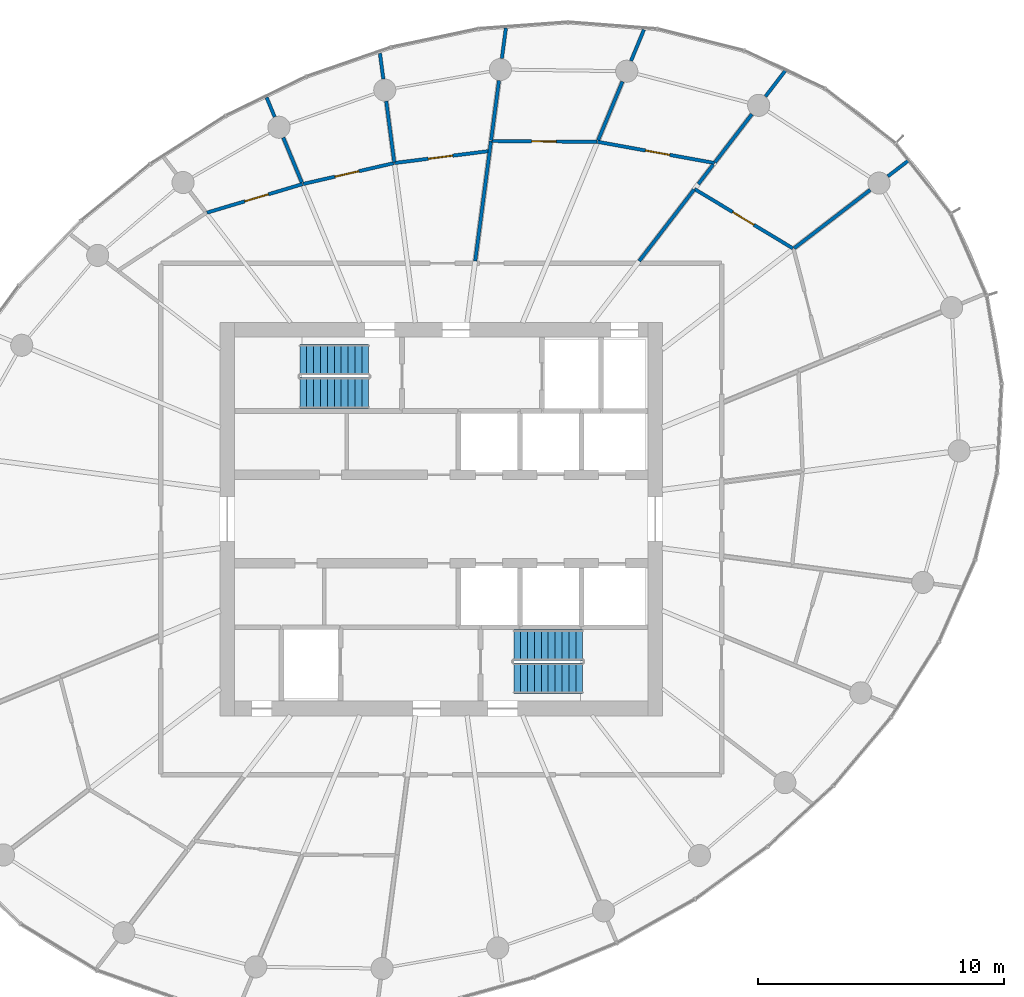
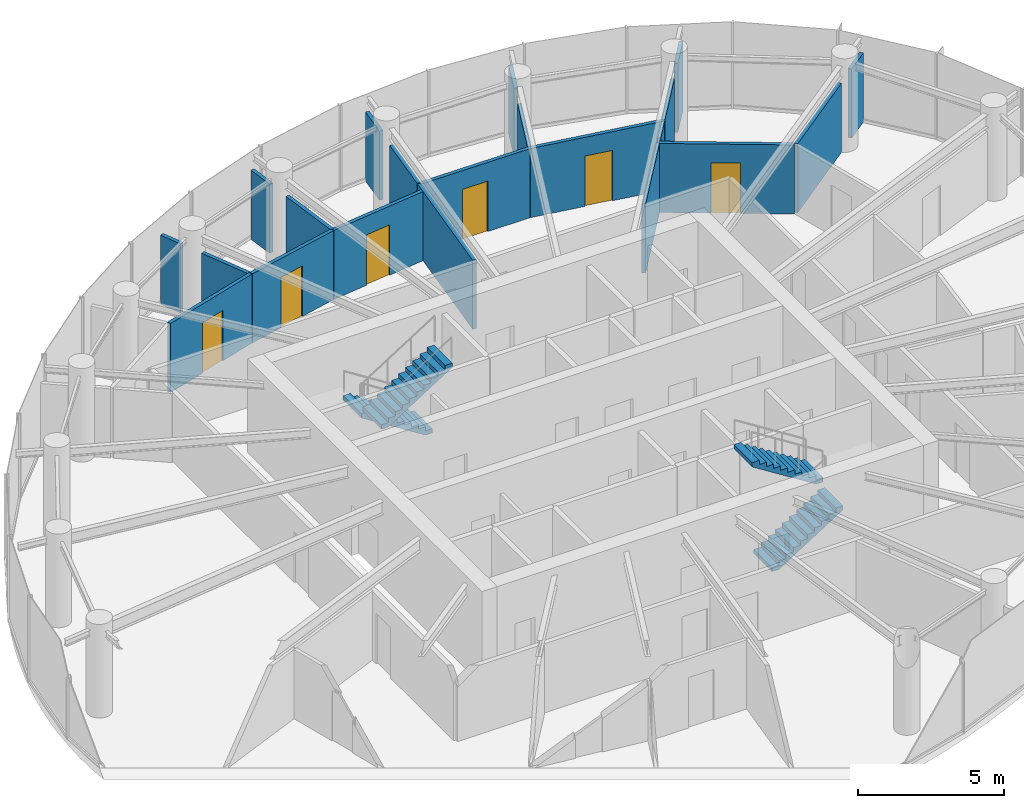
# One storey, part 12 of 14: 21 walls, 6 doors, 4 stair flights, 6 openings, 2 elements without a shape of their own.
"""IFC4 building model written with IfcOpenShell, lengths in metres."""

from ifc_helpers import new_model, si_unit, direction, frame, frame_2d, origin, place, context, subcontext, project, spatial, line, indexed_curve, rectangle, outline, extrude, source, transform, mapped, material, layer, layer_set, type_object, element, fill, aggregate, save


model = new_model("IFC4")

# Units and contexts
model_context = context("Model", 3, precision=1e-05, world=origin(), true_north=direction((0.0, 1.0)))
body_context = subcontext(model_context, "Body", "Model", "MODEL_VIEW")
ifc_project = project(units=[si_unit("LENGTHUNIT", "METRE"), si_unit("AREAUNIT", "SQUARE_METRE"), si_unit("VOLUMEUNIT", "CUBIC_METRE"), si_unit("PLANEANGLEUNIT", "RADIAN"), si_unit("MASSUNIT", "GRAM", prefix="KILO")], contexts=[model_context])

# Site, building, storey
site_placement = place(None, origin())
site = spatial("IfcSite", under=ifc_project, at=site_placement, CompositionType="ELEMENT")
building_placement = place(site_placement, origin())
building = spatial("IfcBuilding", under=site, at=building_placement, Name="Spindrift Exchange Tower", CompositionType="ELEMENT")
storey_placement = place(building_placement, frame((0.0, 0.0, 203.300048828125)))
storey = spatial("IfcBuildingStorey", under=building, at=storey_placement, Name="L49", CompositionType="ELEMENT", Elevation=203.300048828125)

# Wall
ifc_material_1 = material(Name="Fire-rated plasterboard partition", Category="gypsum")
ifc_layer = layer(ifc_material_1, 0.139892578125)
ifc_layer_set = layer_set([ifc_layer], Name="W-PART-140")
wall_type = type_object("IfcWallType", Name="W-PART-140", PredefinedType="PARTITIONING", material=ifc_layer_set)
wall_1_placement = place(storey_placement, frame((53.381103515625, 58.489990234375, 0.0), z_axis=(0.0, 0.0, 1.0), x_axis=(0.130510929427, 0.991446870639, 0.0)))
element("IfcWall", 1, at=wall_1_placement, inside=storey, type_object=wall_type, Name="L49 Partition wall 35", PredefinedType="PARTITIONING", context=body_context, shape_type="SweptSolid", body=[
    extrude(rectangle(XDim=4.925537109375, YDim=0.139892578125, at=frame_2d((2.462890625, 0.0))), origin(), (0.0, 0.0, 1.0), 2.8798828125),
])

# Wall, opening, door
wall_2_placement = place(storey_placement, frame((58.353759765625, 63.33935546875, 0.0), z_axis=(0.0, 0.0, 1.0), x_axis=(0.983980456021, -0.178276364581, 0.0)))
wall_2 = element("IfcWall", 2, at=wall_2_placement, inside=storey, type_object=wall_type, Name="L49 Partition wall 37", PredefinedType="PARTITIONING", context=body_context, shape_type="SweptSolid", body=[
    extrude(rectangle(XDim=4.832763671875, YDim=0.139892578125, at=frame_2d((2.41650390625, 0.0))), origin(), (0.0, 0.0, 1.0), 2.8798828125),
])
opening_1_placement = place(wall_2_placement, frame((1.98291015625, 0.0, 0.0)))
opening_1 = element("IfcOpeningElement", 3, at=opening_1_placement, cuts=wall_2, Name="Opening L49-D26", PredefinedType="OPENING", context=body_context, shape_type="SweptSolid", body=[
    extrude(rectangle(XDim=1.0, YDim=2.10009765625, at=frame_2d((0.5, 1.050048828125))), frame((0.0, 0.079833984375, 0.0), z_axis=(0.0, -1.0, 0.0), x_axis=(1.0, 0.0, 0.0)), (0.0, 0.0, 1.0), 0.159912109375),
])
ifc_material_2 = material(Name="Timber-core fire door", Category="wood")
door_type = type_object("IfcDoorType", Name="DR-ROOM-1000", OperationType="NOTDEFINED", PredefinedType="DOOR", material=ifc_material_2)
shared_shape = source(origin(), body_context, "Body", "SweptSolid", [
    extrude(rectangle(XDim=1.0, YDim=2.10009765625, at=frame_2d((0.5, 1.050048828125))), frame((0.0, 0.02490234375, 0.0), z_axis=(0.0, -1.0, 0.0), x_axis=(1.0, 0.0, 0.0)), (0.0, 0.0, 1.0), 0.050048828125),
])
door_1_placement = place(opening_1_placement, origin())
door_1 = element("IfcDoor", 4, at=door_1_placement, inside=storey, type_object=door_type, Name="L49 Door 26", OperationType="SINGLE_SWING_RIGHT", OverallHeight=2.10009765625, OverallWidth=1.0, PredefinedType="DOOR", context=body_context, shape_type="MappedRepresentation", body=[
    mapped(shared_shape, transform((0.0, 0.0, 0.0), scale=1.0)),
])
fill(opening_1, door_1)

wall_3_placement = place(storey_placement, frame((62.297607421875, 61.419921875, 0.0), z_axis=(0.0, 0.0, 1.0), x_axis=(0.856310382511, -0.516461546298, 0.0)))
wall_3 = element("IfcWall", 5, at=wall_3_placement, inside=storey, type_object=wall_type, Name="L49 Partition wall 40", PredefinedType="PARTITIONING", context=body_context, shape_type="SweptSolid", body=[
    extrude(rectangle(XDim=4.67236328125, YDim=0.139892578125, at=frame_2d((2.336181640625, 0.0))), origin(), (0.0, 0.0, 1.0), 2.8798828125),
])
opening_2_placement = place(wall_3_placement, frame((1.822509765625, 0.0, 0.0)))
opening_2 = element("IfcOpeningElement", 6, at=opening_2_placement, cuts=wall_3, Name="Opening L49-D23", PredefinedType="OPENING", context=body_context, shape_type="SweptSolid", body=[
    extrude(rectangle(XDim=1.0, YDim=2.10009765625, at=frame_2d((0.5, 1.050048828125))), frame((0.0, 0.079833984375, 0.0), z_axis=(0.0, -1.0, 0.0), x_axis=(1.0, 0.0, 0.0)), (0.0, 0.0, 1.0), 0.159912109375),
])
door_2_placement = place(opening_2_placement, origin())
door_2 = element("IfcDoor", 7, at=door_2_placement, inside=storey, type_object=door_type, Name="L49 Door 23", OperationType="SINGLE_SWING_LEFT", OverallHeight=2.10009765625, OverallWidth=1.0, PredefinedType="DOOR", context=body_context, shape_type="MappedRepresentation", body=[
    mapped(shared_shape, transform((0.0, 0.0, 0.0), scale=1.0)),
])
fill(opening_2, door_2)

wall_4_placement = place(storey_placement, frame((54.053955078125, 63.373046875, 0.0), z_axis=(0.0, 0.0, 1.0), x_axis=(0.999969319587, -0.007833255005, 0.0)))
wall_4 = element("IfcWall", 8, at=wall_4_placement, inside=storey, type_object=wall_type, Name="L49 Partition wall 45", PredefinedType="PARTITIONING", context=body_context, shape_type="SweptSolid", body=[
    extrude(rectangle(XDim=4.27001953125, YDim=0.139892578125, at=frame_2d((2.135009765625, 0.0))), origin(), (0.0, 0.0, 1.0), 2.8798828125),
])
opening_3_placement = place(wall_4_placement, frame((1.6201171875, 0.0, 0.0)))
opening_3 = element("IfcOpeningElement", 9, at=opening_3_placement, cuts=wall_4, Name="Opening L49-D27", PredefinedType="OPENING", context=body_context, shape_type="SweptSolid", body=[
    extrude(rectangle(XDim=1.0, YDim=2.10009765625, at=frame_2d((0.5, 1.050048828125))), frame((0.0, 0.079833984375, 0.0), z_axis=(0.0, -1.0, 0.0), x_axis=(1.0, 0.0, 0.0)), (0.0, 0.0, 1.0), 0.159912109375),
])
door_3_placement = place(opening_3_placement, origin())
door_3 = element("IfcDoor", 10, at=door_3_placement, inside=storey, type_object=door_type, Name="L49 Door 27", OperationType="SINGLE_SWING_LEFT", OverallHeight=2.10009765625, OverallWidth=1.0, PredefinedType="DOOR", context=body_context, shape_type="MappedRepresentation", body=[
    mapped(shared_shape, transform((0.0, 0.0, 0.0), scale=1.0)),
])
fill(opening_3, door_3)

wall_5_placement = place(storey_placement, frame((42.474853515625, 60.45947265625, 0.0), z_axis=(0.0, 0.0, 1.0), x_axis=(0.958218274214, 0.286038002655, 0.0)))
wall_5 = element("IfcWall", 11, at=wall_5_placement, inside=storey, type_object=wall_type, Name="L49 Partition wall 49", PredefinedType="PARTITIONING", context=body_context, shape_type="SweptSolid", body=[
    extrude(rectangle(XDim=4.053466796875, YDim=0.139892578125, at=frame_2d((2.02685546875, 0.0))), origin(), (0.0, 0.0, 1.0), 2.8798828125),
])
opening_4_placement = place(wall_5_placement, frame((1.603271484375, 0.0, 0.0)))
opening_4 = element("IfcOpeningElement", 12, at=opening_4_placement, cuts=wall_5, Name="Opening L49-D31", PredefinedType="OPENING", context=body_context, shape_type="SweptSolid", body=[
    extrude(rectangle(XDim=1.0, YDim=2.10009765625, at=frame_2d((0.5, 1.050048828125))), frame((0.0, 0.079833984375, 0.0), z_axis=(0.0, -1.0, 0.0), x_axis=(1.0, 0.0, 0.0)), (0.0, 0.0, 1.0), 0.159912109375),
])
door_4_placement = place(opening_4_placement, origin())
door_4 = element("IfcDoor", 13, at=door_4_placement, inside=storey, type_object=door_type, Name="L49 Door 31", OperationType="SINGLE_SWING_LEFT", OverallHeight=2.10009765625, OverallWidth=1.0, PredefinedType="DOOR", context=body_context, shape_type="MappedRepresentation", body=[
    mapped(shared_shape, transform((0.0, 0.0, 0.0), scale=1.0)),
])
fill(opening_4, door_4)

# Wall
wall_6_placement = place(storey_placement, frame((66.347900390625, 59.009521484375, 0.0), z_axis=(0.0, 0.0, 1.0), x_axis=(0.793347300472, 0.608769300173, 0.0)))
element("IfcWall", 14, at=wall_6_placement, inside=storey, type_object=wall_type, Name="L49 Partition wall 52", PredefinedType="PARTITIONING", context=body_context, shape_type="SweptSolid", body=[
    extrude(rectangle(XDim=3.8994140625, YDim=0.139892578125, at=frame_2d((1.94970703125, 0.0))), origin(), (0.0, 0.0, 1.0), 2.8798828125),
])

# Wall, opening, door
wall_7_placement = place(storey_placement, frame((50.09423828125, 62.476318359375, 0.0), z_axis=(0.0, 0.0, 1.0), x_axis=(0.99213420041, 0.12517878565, 0.0)))
wall_7 = element("IfcWall", 15, at=wall_7_placement, inside=storey, type_object=wall_type, Name="L49 Partition wall 53", PredefinedType="PARTITIONING", context=body_context, shape_type="SweptSolid", body=[
    extrude(rectangle(XDim=3.83447265625, YDim=0.139892578125, at=frame_2d((1.917236328125, 0.0))), origin(), (0.0, 0.0, 1.0), 2.8798828125),
])
opening_5_placement = place(wall_7_placement, frame((1.384521484375, 0.0, 0.0)))
opening_5 = element("IfcOpeningElement", 16, at=opening_5_placement, cuts=wall_7, Name="Opening L49-D29", PredefinedType="OPENING", context=body_context, shape_type="SweptSolid", body=[
    extrude(rectangle(XDim=1.0, YDim=2.10009765625, at=frame_2d((0.5, 1.050048828125))), frame((0.0, 0.079833984375, 0.0), z_axis=(0.0, -1.0, 0.0), x_axis=(1.0, 0.0, 0.0)), (0.0, 0.0, 1.0), 0.159912109375),
])
door_5_placement = place(opening_5_placement, origin())
door_5 = element("IfcDoor", 17, at=door_5_placement, inside=storey, type_object=door_type, Name="L49 Door 29", OperationType="SINGLE_SWING_LEFT", OverallHeight=2.10009765625, OverallWidth=1.0, PredefinedType="DOOR", context=body_context, shape_type="MappedRepresentation", body=[
    mapped(shared_shape, transform((0.0, 0.0, 0.0), scale=1.0)),
])
fill(opening_5, door_5)

wall_8_placement = place(storey_placement, frame((46.387939453125, 61.625732421875, 0.0), z_axis=(0.0, 0.0, 1.0), x_axis=(0.974668578249, 0.223654113699, 0.0)))
wall_8 = element("IfcWall", 18, at=wall_8_placement, inside=storey, type_object=wall_type, Name="L49 Partition wall 57", PredefinedType="PARTITIONING", context=body_context, shape_type="SweptSolid", body=[
    extrude(rectangle(XDim=3.7724609375, YDim=0.139892578125, at=frame_2d((1.88623046875, 0.0))), origin(), (0.0, 0.0, 1.0), 2.8798828125),
])
opening_6_placement = place(wall_8_placement, frame((1.322509765625, 0.0, 0.0)))
opening_6 = element("IfcOpeningElement", 19, at=opening_6_placement, cuts=wall_8, Name="Opening L49-D30", PredefinedType="OPENING", context=body_context, shape_type="SweptSolid", body=[
    extrude(rectangle(XDim=1.0, YDim=2.10009765625, at=frame_2d((0.5, 1.050048828125))), frame((0.0, 0.079833984375, 0.0), z_axis=(0.0, -1.0, 0.0), x_axis=(1.0, 0.0, 0.0)), (0.0, 0.0, 1.0), 0.159912109375),
])
door_6_placement = place(opening_6_placement, origin())
door_6 = element("IfcDoor", 20, at=door_6_placement, inside=storey, type_object=door_type, Name="L49 Door 30", OperationType="SINGLE_SWING_RIGHT", OverallHeight=2.10009765625, OverallWidth=1.0, PredefinedType="DOOR", context=body_context, shape_type="MappedRepresentation", body=[
    mapped(shared_shape, transform((0.0, 0.0, 0.0), scale=1.0)),
])
fill(opening_6, door_6)

# Walls
wall_9_placement = place(storey_placement, frame((60.04931640625, 58.489990234375, 0.0), z_axis=(0.0, 0.0, 1.0), x_axis=(0.60875050296, 0.793361724024, 0.0)))
element("IfcWall", 21, at=wall_9_placement, inside=storey, type_object=wall_type, Name="L49 Partition wall 60", PredefinedType="PARTITIONING", context=body_context, shape_type="SweptSolid", body=[
    extrude(rectangle(XDim=3.663330078125, YDim=0.139892578125, at=frame_2d((1.83154296875, 0.0))), origin(), (0.0, 0.0, 1.0), 2.8798828125),
])
wall_10_placement = place(storey_placement, frame((62.45263671875, 61.622314453125, 0.0), z_axis=(0.0, 0.0, 1.0), x_axis=(0.608872401912, 0.793268175455, 0.0)))
element("IfcWall", 22, at=wall_10_placement, inside=storey, type_object=wall_type, Name="L49 Partition wall 61", PredefinedType="PARTITIONING", context=body_context, shape_type="SweptSolid", body=[
    extrude(rectangle(XDim=0.99951171875, YDim=0.139892578125, at=frame_2d((0.499755859375, 0.0))), origin(), (0.0, 0.0, 1.0), 2.8798828125),
])
wall_11_placement = place(storey_placement, frame((63.12744140625, 62.50146484375, 0.0), z_axis=(0.0, 0.0, 1.0), x_axis=(0.608750837214, 0.793361467549, 0.0)))
element("IfcWall", 23, at=wall_11_placement, inside=storey, type_object=wall_type, Name="L49 Partition wall 62", PredefinedType="PARTITIONING", context=body_context, shape_type="SweptSolid", body=[
    extrude(rectangle(XDim=2.4716796875, YDim=0.139892578125, at=frame_2d((1.23583984375, 0.0))), origin(), (0.0, 0.0, 1.0), 2.8798828125),
])
wall_12_placement = place(storey_placement, frame((54.02783203125, 63.403076171875, 0.0), z_axis=(0.0, 0.0, 1.0), x_axis=(0.130581052229, 0.991437637373, 0.0)))
element("IfcWall", 24, at=wall_12_placement, inside=storey, type_object=wall_type, Name="L49 Partition wall 66", PredefinedType="PARTITIONING", context=body_context, shape_type="SweptSolid", body=[
    extrude(rectangle(XDim=2.445556640625, YDim=0.139892578125, at=frame_2d((1.22265625, 0.0))), origin(), (0.0, 0.0, 1.0), 2.8798828125),
])
wall_13_placement = place(storey_placement, frame((58.381103515625, 63.405517578125, 0.0), z_axis=(0.0, 0.0, 1.0), x_axis=(0.382733405642, 0.923858831319, 0.0)))
element("IfcWall", 25, at=wall_13_placement, inside=storey, type_object=wall_type, Name="L49 Partition wall 70", PredefinedType="PARTITIONING", context=body_context, shape_type="SweptSolid", body=[
    extrude(rectangle(XDim=2.580322265625, YDim=0.139892578125, at=frame_2d((1.2900390625, 0.0))), origin(), (0.0, 0.0, 1.0), 2.8798828125),
])
wall_14_placement = place(storey_placement, frame((50.090087890625, 62.506103515625, 0.0), z_axis=(0.0, 0.0, 1.0), x_axis=(-0.130479700893, 0.991450980964, 0.0)))
element("IfcWall", 26, at=wall_14_placement, inside=storey, type_object=wall_type, Name="L49 Partition wall 71", PredefinedType="PARTITIONING", context=body_context, shape_type="SweptSolid", body=[
    extrude(rectangle(XDim=2.50732421875, YDim=0.139892578125, at=frame_2d((1.253662109375, 0.0))), origin(), (0.0, 0.0, 1.0), 2.8798828125),
])
wall_15_placement = place(storey_placement, frame((46.331787109375, 61.68408203125, 0.0), z_axis=(0.0, 0.0, 1.0), x_axis=(-0.382624406385, 0.923903979664, 0.0)))
element("IfcWall", 27, at=wall_15_placement, inside=storey, type_object=wall_type, Name="L49 Partition wall 74", PredefinedType="PARTITIONING", context=body_context, shape_type="SweptSolid", body=[
    extrude(rectangle(XDim=1.977294921875, YDim=0.139892578125, at=frame_2d((0.98876953125, 0.0))), origin(), (0.0, 0.0, 1.0), 2.8798828125),
])
wall_16_placement = place(storey_placement, frame((59.716796875, 66.630126953125, 0.0), z_axis=(0.0, 0.0, 1.0), x_axis=(0.382733825207, 0.923858657502, 0.0)))
element("IfcWall", 28, at=wall_16_placement, inside=storey, type_object=wall_type, Name="L49 Partition wall 75", PredefinedType="PARTITIONING", context=body_context, shape_type="SweptSolid", body=[
    extrude(rectangle(XDim=1.373291015625, YDim=0.139892578125, at=frame_2d((0.6865234375, 0.0))), origin(), (0.0, 0.0, 1.0), 2.8798828125),
])
wall_17_placement = place(storey_placement, frame((65.185546875, 65.18359375, 0.0), z_axis=(0.0, 0.0, 1.0), x_axis=(0.608692849826, 0.79340595824, 0.0)))
element("IfcWall", 29, at=wall_17_placement, inside=storey, type_object=wall_type, Name="L49 Partition wall 78", PredefinedType="PARTITIONING", context=body_context, shape_type="SweptSolid", body=[
    extrude(rectangle(XDim=1.333740234375, YDim=0.139892578125, at=frame_2d((0.6669921875, 0.0))), origin(), (0.0, 0.0, 1.0), 2.8798828125),
])
wall_18_placement = place(storey_placement, frame((54.4658203125, 66.72900390625, 0.0), z_axis=(0.0, 0.0, 1.0), x_axis=(0.130520415919, 0.991445621821, 0.0)))
element("IfcWall", 30, at=wall_18_placement, inside=storey, type_object=wall_type, Name="L49 Partition wall 80", PredefinedType="PARTITIONING", context=body_context, shape_type="SweptSolid", body=[
    extrude(rectangle(XDim=1.245849609375, YDim=0.139892578125, at=frame_2d((0.623046875, 0.0))), origin(), (0.0, 0.0, 1.0), 2.8798828125),
])
wall_19_placement = place(storey_placement, frame((49.644287109375, 65.89306640625, 0.0), z_axis=(0.0, 0.0, 1.0), x_axis=(-0.130436565077, 0.99145665689, 0.0)))
element("IfcWall", 31, at=wall_19_placement, inside=storey, type_object=wall_type, Name="L49 Partition wall 84", PredefinedType="PARTITIONING", context=body_context, shape_type="SweptSolid", body=[
    extrude(rectangle(XDim=1.0556640625, YDim=0.139892578125, at=frame_2d((0.52783203125, 0.0))), origin(), (0.0, 0.0, 1.0), 2.8798828125),
])
wall_20_placement = place(storey_placement, frame((70.16259765625, 61.936767578125, 0.0), z_axis=(0.0, 0.0, 1.0), x_axis=(0.793403619358, 0.608695898449, 0.0)))
element("IfcWall", 32, at=wall_20_placement, inside=storey, type_object=wall_type, Name="L49 Partition wall 85", PredefinedType="PARTITIONING", context=body_context, shape_type="SweptSolid", body=[
    extrude(rectangle(XDim=1.046875, YDim=0.139892578125, at=frame_2d((0.5234375, 0.0))), origin(), (0.0, 0.0, 1.0), 2.8798828125),
])
wall_21_placement = place(storey_placement, frame((45.226806640625, 64.351806640625, 0.0), z_axis=(0.0, 0.0, 1.0), x_axis=(-0.382754217383, 0.92385020922, 0.0)))
element("IfcWall", 33, at=wall_21_placement, inside=storey, type_object=wall_type, Name="L49 Partition wall 91", PredefinedType="PARTITIONING", context=body_context, shape_type="SweptSolid", body=[
    extrude(rectangle(XDim=0.857177734375, YDim=0.139892578125, at=frame_2d((0.4287109375, 0.0))), origin(), (0.0, 0.0, 1.0), 2.8798828125),
])

# Stair, stair flights
ifc_material_3 = material(Name="Concrete 50 MPa", Category="concrete")
stair_type = type_object("IfcStairType", Name="ST-1250-R177", PredefinedType="HALF_TURN_STAIR", material=ifc_material_3)
stair_1_placement = place(storey_placement, origin())
stair_1 = element("IfcStair", 34, at=stair_1_placement, inside=storey, type_object=stair_type, Name="L49 Exit stair ST1", PredefinedType="HALF_TURN_STAIR")
stair_flight_type = type_object("IfcStairFlightType", Name="STF-1250-R177", PredefinedType="STRAIGHT", material=ifc_material_3)
stair_flight_1_placement = place(storey_placement, frame((49.050048828125, 54.47509765625, 0.0), z_axis=(0.0, 0.0, 1.0), x_axis=(-1.0, 0.0, 0.0)))
stair_flight_1 = element("IfcStairFlight", 35, at=stair_flight_1_placement, type_object=stair_flight_type, Name="ST1 flight 1", NumberOfRisers=11, NumberOfTreads=10, PredefinedType="STRAIGHT", RiserHeight=0.177272727, TreadLength=0.28, context=body_context, shape_type="SweptSolid", body=[
    extrude(outline(indexed_curve([(0.0, 0.0), (0.0, 0.177734375), (0.2802734375, 0.177734375), (0.2802734375, 0.3544921875), (0.5595703125, 0.3544921875), (0.5595703125, 0.5322265625), (0.83984375, 0.5322265625), (0.83984375, 0.708984375), (1.1201171875, 0.708984375), (1.1201171875, 0.88671875), (1.400390625, 0.88671875), (1.400390625, 1.0634765625), (1.6796875, 1.0634765625), (1.6796875, 1.2412109375), (1.9599609375, 1.2412109375), (1.9599609375, 1.41796875), (2.240234375, 1.41796875), (2.240234375, 1.595703125), (2.51953125, 1.595703125), (2.51953125, 1.7724609375), (2.7998046875, 1.7724609375), (2.7998046875, 1.9501953125), (2.7998046875, 1.595703125), (0.2802734375, 0.0)], segments=[line(1, 2, 3, 4, 5, 6, 7, 8, 9, 10, 11, 12, 13, 14, 15, 16, 17, 18, 19, 20, 21, 22, 23, 24, 1)], self_intersect=False)), frame((0.0, 0.625, 0.0), z_axis=(0.0, -1.0, 0.0), x_axis=(1.0, 0.0, 0.0)), (0.0, 0.0, 1.0), 1.25),
])
stair_flight_2_placement = place(storey_placement, frame((46.25, 53.125, 1.949951171875), z_axis=(0.0, 0.0, 1.0), x_axis=(1.0, 0.0, 0.0)))
stair_flight_2 = element("IfcStairFlight", 36, at=stair_flight_2_placement, type_object=stair_flight_type, Name="ST1 flight 2", NumberOfRisers=11, NumberOfTreads=10, PredefinedType="STRAIGHT", RiserHeight=0.177272727, TreadLength=0.28, context=body_context, shape_type="SweptSolid", body=[
    extrude(outline(indexed_curve([(0.0, 0.0), (0.0, 0.177734375), (0.2802734375, 0.177734375), (0.2802734375, 0.3544921875), (0.5595703125, 0.3544921875), (0.5595703125, 0.5322265625), (0.83984375, 0.5322265625), (0.83984375, 0.708984375), (1.1201171875, 0.708984375), (1.1201171875, 0.88671875), (1.400390625, 0.88671875), (1.400390625, 1.0634765625), (1.6796875, 1.0634765625), (1.6796875, 1.2412109375), (1.9599609375, 1.2412109375), (1.9599609375, 1.41796875), (2.240234375, 1.41796875), (2.240234375, 1.595703125), (2.51953125, 1.595703125), (2.51953125, 1.7724609375), (2.7998046875, 1.7724609375), (2.7998046875, 1.9501953125), (2.7998046875, 1.595703125), (0.2802734375, 0.0)], segments=[line(1, 2, 3, 4, 5, 6, 7, 8, 9, 10, 11, 12, 13, 14, 15, 16, 17, 18, 19, 20, 21, 22, 23, 24, 1)], self_intersect=False)), frame((0.0, 0.625, 0.0), z_axis=(0.0, -1.0, 0.0), x_axis=(1.0, 0.0, 0.0)), (0.0, 0.0, 1.0), 1.25),
])
aggregate(stair_1, [stair_flight_1, stair_flight_2])

stair_2_placement = place(storey_placement, origin())
stair_2 = element("IfcStair", 37, at=stair_2_placement, inside=storey, type_object=stair_type, Name="L49 Exit stair ST2", PredefinedType="HALF_TURN_STAIR")
stair_flight_3_placement = place(storey_placement, frame((54.949951171875, 41.52490234375, 0.0), z_axis=(0.0, 0.0, 1.0), x_axis=(1.0, 0.0, 0.0)))
stair_flight_3 = element("IfcStairFlight", 38, at=stair_flight_3_placement, type_object=stair_flight_type, Name="ST2 flight 1", NumberOfRisers=11, NumberOfTreads=10, PredefinedType="STRAIGHT", RiserHeight=0.177272727, TreadLength=0.28, context=body_context, shape_type="SweptSolid", body=[
    extrude(outline(indexed_curve([(0.0, 0.0), (0.0, 0.177734375), (0.2802734375, 0.177734375), (0.2802734375, 0.3544921875), (0.5595703125, 0.3544921875), (0.5595703125, 0.5322265625), (0.83984375, 0.5322265625), (0.83984375, 0.708984375), (1.1201171875, 0.708984375), (1.1201171875, 0.88671875), (1.400390625, 0.88671875), (1.400390625, 1.0634765625), (1.6796875, 1.0634765625), (1.6796875, 1.2412109375), (1.9599609375, 1.2412109375), (1.9599609375, 1.41796875), (2.240234375, 1.41796875), (2.240234375, 1.595703125), (2.51953125, 1.595703125), (2.51953125, 1.7724609375), (2.7998046875, 1.7724609375), (2.7998046875, 1.9501953125), (2.7998046875, 1.595703125), (0.2802734375, 0.0)], segments=[line(1, 2, 3, 4, 5, 6, 7, 8, 9, 10, 11, 12, 13, 14, 15, 16, 17, 18, 19, 20, 21, 22, 23, 24, 1)], self_intersect=False)), frame((0.0, 0.625, 0.0), z_axis=(0.0, -1.0, 0.0), x_axis=(1.0, 0.0, 0.0)), (0.0, 0.0, 1.0), 1.25),
])
stair_flight_4_placement = place(storey_placement, frame((57.75, 42.875, 1.949951171875), z_axis=(0.0, 0.0, 1.0), x_axis=(-1.0, 0.0, 0.0)))
stair_flight_4 = element("IfcStairFlight", 39, at=stair_flight_4_placement, type_object=stair_flight_type, Name="ST2 flight 2", NumberOfRisers=11, NumberOfTreads=10, PredefinedType="STRAIGHT", RiserHeight=0.177272727, TreadLength=0.28, context=body_context, shape_type="SweptSolid", body=[
    extrude(outline(indexed_curve([(0.0, 0.0), (0.0, 0.177734375), (0.2802734375, 0.177734375), (0.2802734375, 0.3544921875), (0.5595703125, 0.3544921875), (0.5595703125, 0.5322265625), (0.83984375, 0.5322265625), (0.83984375, 0.708984375), (1.1201171875, 0.708984375), (1.1201171875, 0.88671875), (1.400390625, 0.88671875), (1.400390625, 1.0634765625), (1.6796875, 1.0634765625), (1.6796875, 1.2412109375), (1.9599609375, 1.2412109375), (1.9599609375, 1.41796875), (2.240234375, 1.41796875), (2.240234375, 1.595703125), (2.51953125, 1.595703125), (2.51953125, 1.7724609375), (2.7998046875, 1.7724609375), (2.7998046875, 1.9501953125), (2.7998046875, 1.595703125), (0.2802734375, 0.0)], segments=[line(1, 2, 3, 4, 5, 6, 7, 8, 9, 10, 11, 12, 13, 14, 15, 16, 17, 18, 19, 20, 21, 22, 23, 24, 1)], self_intersect=False)), frame((0.0, 0.625, 0.0), z_axis=(0.0, -1.0, 0.0), x_axis=(1.0, 0.0, 0.0)), (0.0, 0.0, 1.0), 1.25),
])
aggregate(stair_2, [stair_flight_3, stair_flight_4])

save(model, "model.ifc")
